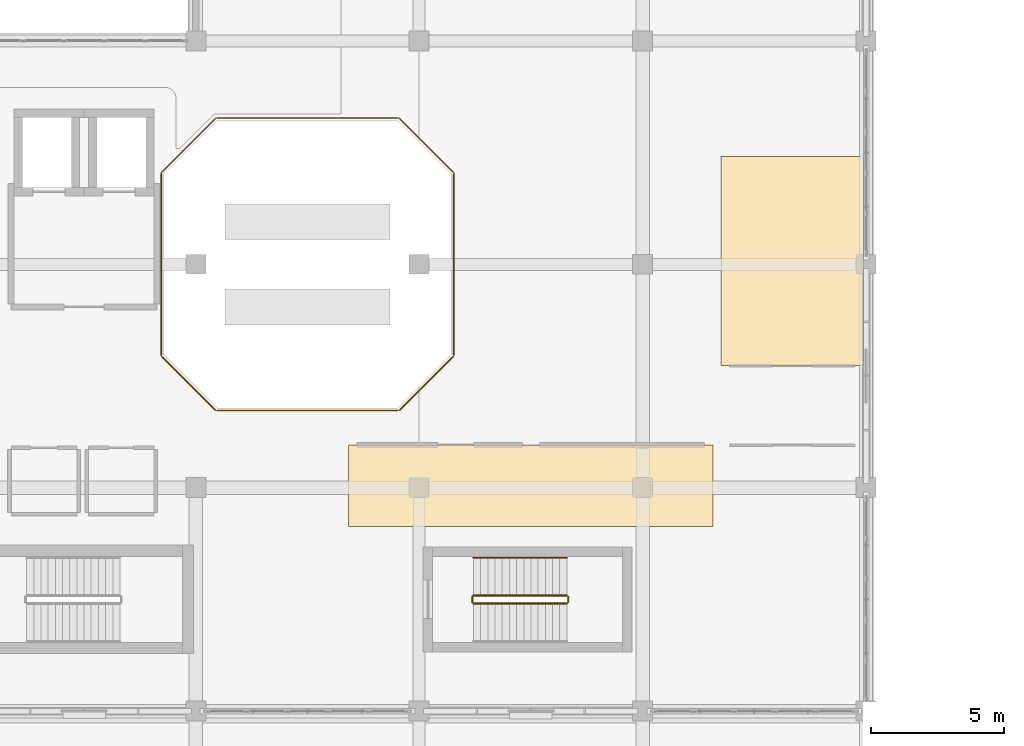
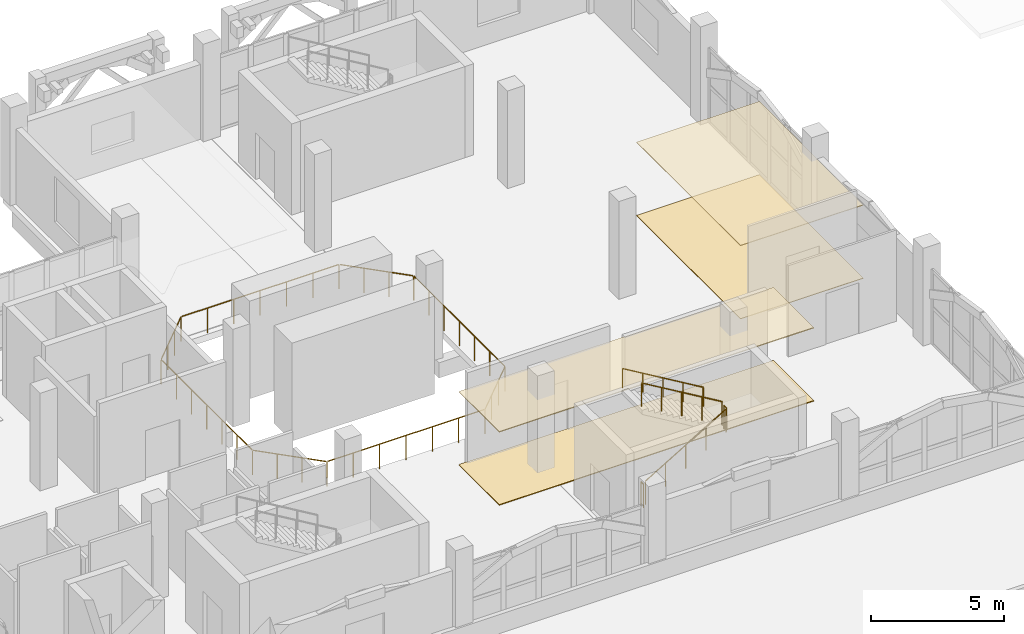
# One storey, part 28 of 30: 6 railings, 4 coverings.
"""IFC4 building model written with IfcOpenShell, lengths in metres."""

from ifc_helpers import new_model, si_unit, direction, frame, origin, origin_2d, place, context, subcontext, project, spatial, polyline, circle, outline, extrude, material, layer, layer_set, type_object, element, save


model = new_model("IFC4")

# Units and contexts
model_context = context("Model", 3, precision=1e-05, world=origin(), true_north=direction((0.0, 1.0)))
body_context = subcontext(model_context, "Body", "Model", "MODEL_VIEW")
ifc_project = project(units=[si_unit("LENGTHUNIT", "METRE"), si_unit("AREAUNIT", "SQUARE_METRE"), si_unit("VOLUMEUNIT", "CUBIC_METRE"), si_unit("PLANEANGLEUNIT", "RADIAN"), si_unit("MASSUNIT", "GRAM", prefix="KILO")], contexts=[model_context])

# Site, building, storey
site_placement = place(None, origin())
site = spatial("IfcSite", under=ifc_project, at=site_placement, CompositionType="ELEMENT")
building_placement = place(site_placement, origin())
building = spatial("IfcBuilding", under=site, at=building_placement, Name="Xazarin Passage Department Store", CompositionType="ELEMENT")
storey_placement = place(building_placement, frame((0.0, 0.0, 23.39990234375)))
storey = spatial("IfcBuildingStorey", under=building, at=storey_placement, Name="L05", CompositionType="ELEMENT", Elevation=23.39990234375)

# Coverings
ifc_material_1 = material(Name="Acoustic mineral ceiling")
ifc_layer_1 = layer(ifc_material_1, 0.030029296875)
ifc_layer_set_1 = layer_set([ifc_layer_1], Name="Acoustic mineral ceiling")
covering_type_1 = type_object("IfcCoveringType", Name="ARC-COV-CLG030", PredefinedType="CEILING", material=ifc_layer_set_1)
covering_1_placement = place(storey_placement, frame((0.0, 0.0, 3.3701171875)))
element("IfcCovering", 1, at=covering_1_placement, inside=storey, type_object=covering_type_1, Name="L05 Smart Home Gallery Acoustic Ceiling", PredefinedType="CEILING", context=body_context, shape_type="SweptSolid", body=[
    extrude(outline(polyline([(36.550048828125, 89.39990234375), (41.89990234375, 89.39990234375), (41.89990234375, 97.25), (36.550048828125, 97.25), (36.550048828125, 89.39990234375)])), origin(), (0.0, 0.0, 1.0), 0.030029296875),
])
ifc_layer_2 = layer(ifc_material_1, 0.0400390625)
ifc_layer_set_2 = layer_set([ifc_layer_2], Name="Acoustic mineral ceiling")
covering_type_2 = type_object("IfcCoveringType", Name="ARC-COV-CLG040", PredefinedType="CEILING", material=ifc_layer_set_2)
covering_2_placement = place(storey_placement, frame((0.0, 0.0, 3.360107421875)))
element("IfcCovering", 2, at=covering_2_placement, inside=storey, type_object=covering_type_2, Name="L05 Bookshop and Stationery Acoustic Ceiling", PredefinedType="CEILING", context=body_context, shape_type="SweptSolid", body=[
    extrude(outline(polyline([(36.25, 86.39990234375), (22.550048828125, 86.39990234375), (22.550048828125, 83.35009765625), (36.25, 83.35009765625), (36.25, 86.39990234375)])), origin(), (0.0, 0.0, 1.0), 0.0400390625),
])
ifc_material_2 = material(Name="Terrazzo stone flooring", Category="masonry")
ifc_layer_3 = layer(ifc_material_2, 0.02490234375)
ifc_layer_set_3 = layer_set([ifc_layer_3], Name="Terrazzo stone flooring")
covering_type_3 = type_object("IfcCoveringType", Name="ARC-COV-FLR025", PredefinedType="FLOORING", material=ifc_layer_set_3)
covering_3_placement = place(storey_placement, origin())
element("IfcCovering", 3, at=covering_3_placement, inside=storey, type_object=covering_type_3, Name="L05 Smart Home Gallery Terrazzo Flooring", PredefinedType="FLOORING", context=body_context, shape_type="SweptSolid", body=[
    extrude(outline(polyline([(36.550048828125, 89.39990234375), (41.89990234375, 89.39990234375), (41.89990234375, 97.25), (36.550048828125, 97.25), (36.550048828125, 89.39990234375)])), origin(), (0.0, 0.0, 1.0), 0.025146484375),
])
ifc_layer_4 = layer(ifc_material_2, 0.034912109375)
ifc_layer_set_4 = layer_set([ifc_layer_4], Name="Terrazzo stone flooring")
covering_type_4 = type_object("IfcCoveringType", Name="ARC-COV-FLR035", PredefinedType="FLOORING", material=ifc_layer_set_4)
covering_4_placement = place(storey_placement, origin())
element("IfcCovering", 4, at=covering_4_placement, inside=storey, type_object=covering_type_4, Name="L05 Bookshop and Stationery Terrazzo Flooring", PredefinedType="FLOORING", context=body_context, shape_type="SweptSolid", body=[
    extrude(outline(polyline([(36.25, 86.39990234375), (22.550048828125, 86.39990234375), (22.550048828125, 83.35009765625), (36.25, 83.35009765625), (36.25, 86.39990234375)])), origin(), (0.0, 0.0, 1.0), 0.03515625),
])

# Railings
ifc_material_3 = material(Name="Low-E laminated safety glass", Category="glass")
railing_type_1 = type_object("IfcRailingType", Name="ARC-RL-BAL115", PredefinedType="BALUSTRADE", material=ifc_material_3)
railing_1_placement = place(storey_placement, frame((15.5, 96.641357421875, 0.0)))
element("IfcRailing", 5, at=railing_1_placement, inside=storey, type_object=railing_type_1, Name="L05 Void Edge Balustrade 0015", PredefinedType="BALUSTRADE", context=body_context, shape_type="SweptSolid", body=[
    extrude(circle(Radius=0.02392578125, at=origin_2d()), frame((0.0, -0.03125, 1.1259765625), z_axis=(0.0, -1.0, 0.0), x_axis=(1.0, 0.0, 0.0)), (0.0, 0.0, 1.0), 6.8203125),
    extrude(circle(Radius=0.02392578125, at=origin_2d()), frame((0.022216796875, -6.905029296875, 1.1259765625), z_axis=(0.707106781187, -0.707106781187, 0.0), x_axis=(0.707106781187, 0.707106781187, 0.0)), (0.0, 0.0, 1.0), 2.848876953125),
    extrude(circle(Radius=0.02392578125, at=origin_2d()), frame((2.08984375, -8.94140625, 1.1259765625), z_axis=(1.0, 0.0, 0.0), x_axis=(0.0, 1.0, 0.0)), (0.0, 0.0, 1.0), 6.8203125),
    extrude(circle(Radius=0.02392578125, at=origin_2d()), frame((8.963623046875, -8.919189453125, 1.1259765625), z_axis=(0.707106781187, 0.707106781187, 0.0), x_axis=(-0.707106781187, 0.707106781187, 0.0)), (0.0, 0.0, 1.0), 2.848876953125),
    extrude(circle(Radius=0.02392578125, at=origin_2d()), frame((11.0, -6.8515625, 1.1259765625), z_axis=(0.0, 1.0, 0.0), x_axis=(-1.0, 0.0, 0.0)), (0.0, 0.0, 1.0), 6.8203125),
    extrude(circle(Radius=0.02392578125, at=origin_2d()), frame((10.977783203125, 0.022216796875, 1.1259765625), z_axis=(-0.707106781187, 0.707106781187, 0.0), x_axis=(-0.707106781187, -0.707106781187, 0.0)), (0.0, 0.0, 1.0), 2.848876953125),
    extrude(circle(Radius=0.02392578125, at=origin_2d()), frame((8.91015625, 2.05859375, 1.1259765625), z_axis=(-1.0, 0.0, 0.0), x_axis=(0.0, -1.0, 0.0)), (0.0, 0.0, 1.0), 6.8203125),
    extrude(circle(Radius=0.02392578125, at=origin_2d()), frame((2.036376953125, 2.036376953125, 1.1259765625), z_axis=(-0.707106781187, -0.707106781187, 0.0), x_axis=(0.707106781187, -0.707106781187, 0.0)), (0.0, 0.0, 1.0), 2.848876953125),
    extrude(circle(Radius=0.02099609375, at=origin_2d()), origin(), (0.0, 0.0, 1.0), 1.1015625),
    extrude(circle(Radius=0.02099609375, at=origin_2d()), frame((0.0, -1.147216796875, 0.0)), (0.0, 0.0, 1.0), 1.1015625),
    extrude(circle(Radius=0.02099609375, at=origin_2d()), frame((0.0, -2.294189453125, 0.0)), (0.0, 0.0, 1.0), 1.1015625),
    extrude(circle(Radius=0.02099609375, at=origin_2d()), frame((0.0, -3.44140625, 0.0)), (0.0, 0.0, 1.0), 1.1015625),
    extrude(circle(Radius=0.02099609375, at=origin_2d()), frame((0.0, -4.588623046875, 0.0)), (0.0, 0.0, 1.0), 1.1015625),
    extrude(circle(Radius=0.02099609375, at=origin_2d()), frame((0.0, -5.735595703125, 0.0)), (0.0, 0.0, 1.0), 1.1015625),
    extrude(circle(Radius=0.02099609375, at=origin_2d()), frame((0.0, -6.8828125, 0.0)), (0.0, 0.0, 1.0), 1.1015625),
    extrude(circle(Radius=0.02099609375, at=origin_2d()), frame((0.686279296875, -7.569091796875, 0.0)), (0.0, 0.0, 1.0), 1.1015625),
    extrude(circle(Radius=0.02099609375, at=origin_2d()), frame((1.372314453125, -8.255126953125, 0.0)), (0.0, 0.0, 1.0), 1.1015625),
    extrude(circle(Radius=0.02099609375, at=origin_2d()), frame((2.05859375, -8.94140625, 0.0)), (0.0, 0.0, 1.0), 1.1015625),
    extrude(circle(Radius=0.02099609375, at=origin_2d()), frame((3.205810546875, -8.94140625, 0.0)), (0.0, 0.0, 1.0), 1.1015625),
    extrude(circle(Radius=0.02099609375, at=origin_2d()), frame((4.352783203125, -8.94140625, 0.0)), (0.0, 0.0, 1.0), 1.1015625),
    extrude(circle(Radius=0.02099609375, at=origin_2d()), frame((5.5, -8.94140625, 0.0)), (0.0, 0.0, 1.0), 1.1015625),
    extrude(circle(Radius=0.02099609375, at=origin_2d()), frame((6.647216796875, -8.94140625, 0.0)), (0.0, 0.0, 1.0), 1.1015625),
    extrude(circle(Radius=0.02099609375, at=origin_2d()), frame((7.794189453125, -8.94140625, 0.0)), (0.0, 0.0, 1.0), 1.1015625),
    extrude(circle(Radius=0.02099609375, at=origin_2d()), frame((8.94140625, -8.94140625, 0.0)), (0.0, 0.0, 1.0), 1.1015625),
    extrude(circle(Radius=0.02099609375, at=origin_2d()), frame((9.627685546875, -8.255126953125, 0.0)), (0.0, 0.0, 1.0), 1.1015625),
    extrude(circle(Radius=0.02099609375, at=origin_2d()), frame((10.313720703125, -7.569091796875, 0.0)), (0.0, 0.0, 1.0), 1.1015625),
    extrude(circle(Radius=0.02099609375, at=origin_2d()), frame((11.0, -6.8828125, 0.0)), (0.0, 0.0, 1.0), 1.1015625),
    extrude(circle(Radius=0.02099609375, at=origin_2d()), frame((11.0, -5.735595703125, 0.0)), (0.0, 0.0, 1.0), 1.1015625),
    extrude(circle(Radius=0.02099609375, at=origin_2d()), frame((11.0, -4.588623046875, 0.0)), (0.0, 0.0, 1.0), 1.1015625),
    extrude(circle(Radius=0.02099609375, at=origin_2d()), frame((11.0, -3.44140625, 0.0)), (0.0, 0.0, 1.0), 1.1015625),
    extrude(circle(Radius=0.02099609375, at=origin_2d()), frame((11.0, -2.294189453125, 0.0)), (0.0, 0.0, 1.0), 1.1015625),
    extrude(circle(Radius=0.02099609375, at=origin_2d()), frame((11.0, -1.147216796875, 0.0)), (0.0, 0.0, 1.0), 1.1015625),
    extrude(circle(Radius=0.02099609375, at=origin_2d()), frame((11.0, 0.0, 0.0)), (0.0, 0.0, 1.0), 1.1015625),
    extrude(circle(Radius=0.02099609375, at=origin_2d()), frame((10.313720703125, 0.686279296875, 0.0)), (0.0, 0.0, 1.0), 1.1015625),
    extrude(circle(Radius=0.02099609375, at=origin_2d()), frame((9.627685546875, 1.372314453125, 0.0)), (0.0, 0.0, 1.0), 1.1015625),
    extrude(circle(Radius=0.02099609375, at=origin_2d()), frame((8.94140625, 2.05859375, 0.0)), (0.0, 0.0, 1.0), 1.1015625),
    extrude(circle(Radius=0.02099609375, at=origin_2d()), frame((7.794189453125, 2.05859375, 0.0)), (0.0, 0.0, 1.0), 1.1015625),
    extrude(circle(Radius=0.02099609375, at=origin_2d()), frame((6.647216796875, 2.05859375, 0.0)), (0.0, 0.0, 1.0), 1.1015625),
    extrude(circle(Radius=0.02099609375, at=origin_2d()), frame((5.5, 2.05859375, 0.0)), (0.0, 0.0, 1.0), 1.1015625),
    extrude(circle(Radius=0.02099609375, at=origin_2d()), frame((4.352783203125, 2.05859375, 0.0)), (0.0, 0.0, 1.0), 1.1015625),
    extrude(circle(Radius=0.02099609375, at=origin_2d()), frame((3.205810546875, 2.05859375, 0.0)), (0.0, 0.0, 1.0), 1.1015625),
    extrude(circle(Radius=0.02099609375, at=origin_2d()), frame((2.05859375, 2.05859375, 0.0)), (0.0, 0.0, 1.0), 1.1015625),
    extrude(circle(Radius=0.02099609375, at=origin_2d()), frame((1.372314453125, 1.372314453125, 0.0)), (0.0, 0.0, 1.0), 1.1015625),
    extrude(circle(Radius=0.02099609375, at=origin_2d()), frame((0.686279296875, 0.686279296875, 0.0)), (0.0, 0.0, 1.0), 1.1015625),
])
ifc_material_4 = material(Name="Steel S355", Category="steel")
railing_type_2 = type_object("IfcRailingType", Name="ARC-RL-GRD112", PredefinedType="GUARDRAIL", material=ifc_material_4)
railing_2_placement = place(storey_placement, frame((27.239990234375, 80.449951171875, 0.160888671875)))
element("IfcRailing", 6, at=railing_2_placement, inside=storey, type_object=railing_type_2, Name="L05 ST3 stair guard 1", PredefinedType="GUARDRAIL", context=body_context, shape_type="SweptSolid", body=[
    extrude(circle(Radius=0.02392578125, at=origin_2d()), frame((0.0, 0.0, 1.076171875), z_axis=(0.859312273368, 0.0, 0.511451284914), x_axis=(0.0, 1.0, 0.0)), (0.0, 0.0, 1.0), 4.084716796875),
    extrude(circle(Radius=0.02099609375, at=origin_2d()), origin(), (0.0, 0.0, 1.0), 1.0517578125),
    extrude(circle(Radius=0.02099609375, at=origin_2d()), frame((0.87744140625, 0.0, 0.522216796875)), (0.0, 0.0, 1.0), 1.0517578125),
    extrude(circle(Radius=0.02099609375, at=origin_2d()), frame((1.7548828125, 0.0, 1.04443359375)), (0.0, 0.0, 1.0), 1.0517578125),
    extrude(circle(Radius=0.02099609375, at=origin_2d()), frame((2.632568359375, 0.0, 1.56689453125)), (0.0, 0.0, 1.0), 1.0517578125),
    extrude(circle(Radius=0.02099609375, at=origin_2d()), frame((3.510009765625, 0.0, 2.089111328125)), (0.0, 0.0, 1.0), 1.0517578125),
])
railing_3_placement = place(storey_placement, frame((30.800048828125, 80.5, 2.25)))
element("IfcRailing", 7, at=railing_3_placement, inside=storey, type_object=railing_type_2, Name="L05 ST3 stair guard 2", PredefinedType="GUARDRAIL", context=body_context, shape_type="SweptSolid", body=[
    extrude(circle(Radius=0.02392578125, at=origin_2d()), frame((0.0, 0.0, 1.076171875), z_axis=(0.0, 1.0, 0.0), x_axis=(-1.0, 0.0, 0.0)), (0.0, 0.0, 1.0), 0.199951171875),
    extrude(circle(Radius=0.02099609375, at=origin_2d()), origin(), (0.0, 0.0, 1.0), 1.0517578125),
    extrude(circle(Radius=0.02099609375, at=origin_2d()), frame((0.0, 0.199951171875, 0.0)), (0.0, 0.0, 1.0), 1.0517578125),
])
railing_4_placement = place(storey_placement, frame((30.75, 80.75, 2.410888671875)))
element("IfcRailing", 8, at=railing_4_placement, inside=storey, type_object=railing_type_2, Name="L05 ST3 stair guard 3", PredefinedType="GUARDRAIL", context=body_context, shape_type="SweptSolid", body=[
    extrude(circle(Radius=0.02392578125, at=origin_2d()), frame((0.0, 0.0, 1.076171875), z_axis=(-0.859312273368, 0.0, 0.511451284914), x_axis=(0.0, -1.0, 0.0)), (0.0, 0.0, 1.0), 4.084716796875),
    extrude(circle(Radius=0.02099609375, at=origin_2d()), origin(), (0.0, 0.0, 1.0), 1.0517578125),
    extrude(circle(Radius=0.02099609375, at=origin_2d()), frame((-0.87744140625, 0.0, 0.522216796875)), (0.0, 0.0, 1.0), 1.0517578125),
    extrude(circle(Radius=0.02099609375, at=origin_2d()), frame((-1.7548828125, 0.0, 1.04443359375)), (0.0, 0.0, 1.0), 1.0517578125),
    extrude(circle(Radius=0.02099609375, at=origin_2d()), frame((-2.632568359375, 0.0, 1.56689453125)), (0.0, 0.0, 1.0), 1.0517578125),
    extrude(circle(Radius=0.02099609375, at=origin_2d()), frame((-3.510009765625, 0.0, 2.089111328125)), (0.0, 0.0, 1.0), 1.0517578125),
])
railing_5_placement = place(storey_placement, frame((27.18994140625, 80.5, 0.0)))
element("IfcRailing", 9, at=railing_5_placement, inside=storey, type_object=railing_type_2, Name="L05 ST3 stair guard 4", PredefinedType="GUARDRAIL", context=body_context, shape_type="SweptSolid", body=[
    extrude(circle(Radius=0.02392578125, at=origin_2d()), frame((0.0, 0.0, 1.076171875), z_axis=(0.0, 1.0, 0.0), x_axis=(-1.0, 0.0, 0.0)), (0.0, 0.0, 1.0), 0.199951171875),
    extrude(circle(Radius=0.02099609375, at=origin_2d()), origin(), (0.0, 0.0, 1.0), 1.0517578125),
    extrude(circle(Radius=0.02099609375, at=origin_2d()), frame((0.0, 0.199951171875, 0.0)), (0.0, 0.0, 1.0), 1.0517578125),
])
railing_type_3 = type_object("IfcRailingType", Name="ARC-RL-HND090", PredefinedType="HANDRAIL", material=ifc_material_4)
railing_6_placement = place(storey_placement, frame((30.75, 82.169921875, 2.410888671875)))
element("IfcRailing", 10, at=railing_6_placement, inside=storey, type_object=railing_type_3, Name="L05 ST3 stair handrail 2", PredefinedType="HANDRAIL", context=body_context, shape_type="SweptSolid", body=[
    extrude(circle(Radius=0.02392578125, at=origin_2d()), frame((0.0, 0.0, 0.8759765625), z_axis=(-0.859312273368, 0.0, 0.511451284914), x_axis=(0.0, -1.0, 0.0)), (0.0, 0.0, 1.0), 4.084716796875),
    extrude(circle(Radius=0.02099609375, at=origin_2d()), origin(), (0.0, 0.0, 1.0), 0.8515625),
    extrude(circle(Radius=0.02099609375, at=origin_2d()), frame((-0.87744140625, 0.0, 0.522216796875)), (0.0, 0.0, 1.0), 0.8515625),
    extrude(circle(Radius=0.02099609375, at=origin_2d()), frame((-1.7548828125, 0.0, 1.04443359375)), (0.0, 0.0, 1.0), 0.8515625),
    extrude(circle(Radius=0.02099609375, at=origin_2d()), frame((-2.632568359375, 0.0, 1.56689453125)), (0.0, 0.0, 1.0), 0.8515625),
    extrude(circle(Radius=0.02099609375, at=origin_2d()), frame((-3.510009765625, 0.0, 2.089111328125)), (0.0, 0.0, 1.0), 0.8515625),
])

save(model, "model.ifc")
